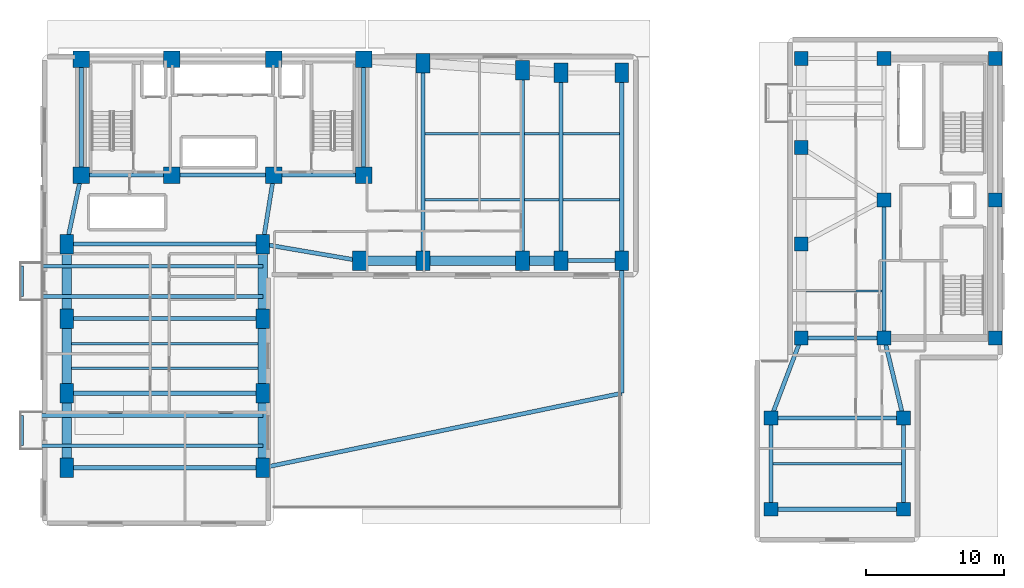
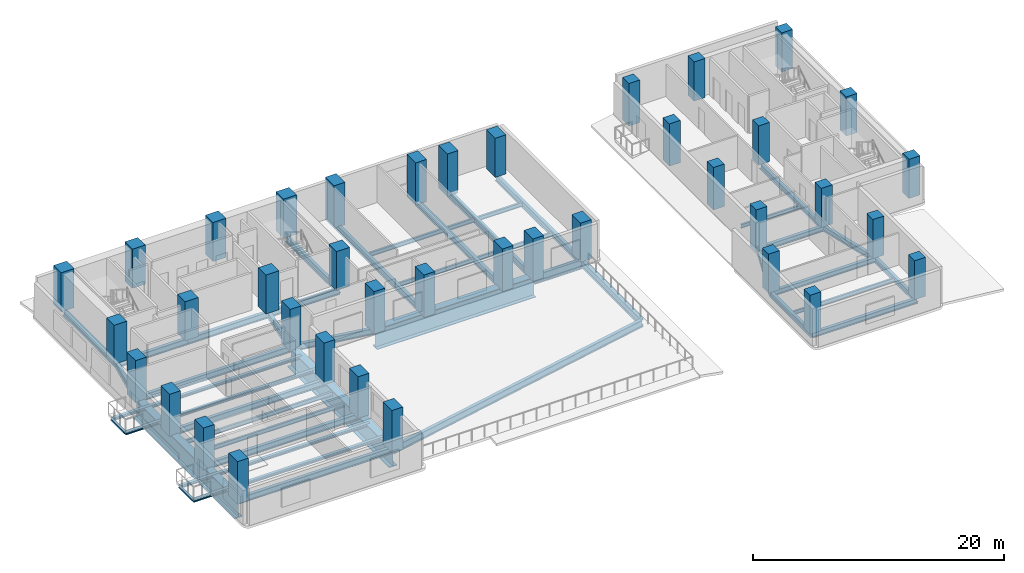
# One storey, part 1 of 10: 46 beams, 39 columns.
"""IFC4 building model written with IfcOpenShell, lengths in metres."""

from ifc_helpers import new_model, si_unit, direction, frame, origin, origin_2d, place, context, subcontext, project, spatial, rectangle, i_section, extrude, material, material_profile, profile_set, type_object, element, save


model = new_model("IFC4")

# Units and contexts
model_context = context("Model", 3, precision=1e-05, world=origin(), true_north=direction((0.0, 1.0)))
body_context = subcontext(model_context, "Body", "Model", "MODEL_VIEW")
ifc_project = project(units=[si_unit("LENGTHUNIT", "METRE"), si_unit("AREAUNIT", "SQUARE_METRE"), si_unit("VOLUMEUNIT", "CUBIC_METRE"), si_unit("PLANEANGLEUNIT", "RADIAN"), si_unit("MASSUNIT", "GRAM", prefix="KILO")], contexts=[model_context])

# Site, building, storey
site_placement = place(None, origin())
site = spatial("IfcSite", under=ifc_project, at=site_placement, CompositionType="ELEMENT")
building_placement = place(site_placement, origin())
building = spatial("IfcBuilding", under=site, at=building_placement, Name="Kuzgunbayir Cultural Tower", CompositionType="ELEMENT")
storey_placement = place(building_placement, frame((0.0, 0.0, 26.39990234375)))
storey = spatial("IfcBuildingStorey", under=building, at=storey_placement, Name="L06", CompositionType="ELEMENT", Elevation=26.39990234375)

# Columns
ifc_material_1 = material(Name="Concrete C60/75", Category="concrete")
ifc_material_profile_1 = material_profile(ifc_material_1, rectangle(XDim=1.199951171875, YDim=1.199951171875, at=origin_2d()), Name="RC 1200x1200")
ifc_profile_set_1 = profile_set([ifc_material_profile_1], Name="Concrete C60/75")
column_type_1 = type_object("IfcColumnType", Name="COL-CORE-1200", PredefinedType="COLUMN", material=ifc_profile_set_1)
for number, where, z_axis, x_axis, name in (
    (1, (6.449951171875, 33.800048828125, 0.0), (0.0, 0.0, 1.0), (1.0, 0.0, 0.0), "L06 T1 Core Boundary Column CC1-1"),
    (2, (13.0, 33.800048828125, 0.0), (0.0, 0.0, 1.0), (1.0, 0.0, 0.0), "L06 T1 Core Boundary Column CC1-2"),
    (3, (20.39990234375, 33.800048828125, 0.0), (0.0, 0.0, 1.0), (1.0, 0.0, 0.0), "L06 T1 Core Boundary Column CC1-3"),
    (4, (26.89990234375, 33.800048828125, 0.0), (0.0, 0.0, 1.0), (1.0, 0.0, 0.0), "L06 T1 Core Boundary Column CC1-4"),
    (5, (6.449951171875, 42.199951171875, 0.0), (0.0, 0.0, 1.0), (1.0, 0.0, 0.0), "L06 T1 Core Boundary Column CC1-5"),
    (6, (13.0, 42.199951171875, 0.0), (0.0, 0.0, 1.0), (1.0, 0.0, 0.0), "L06 T1 Core Boundary Column CC1-6"),
    (7, (20.39990234375, 42.199951171875, 0.0), (0.0, 0.0, 1.0), (1.0, 0.0, 0.0), "L06 T1 Core Boundary Column CC1-7"),
    (8, (26.89990234375, 42.199951171875, 0.0), (0.0, 0.0, 1.0), (1.0, 0.0, 0.0), "L06 T1 Core Boundary Column CC1-8"),
):
    element("IfcColumn", number, at=place(storey_placement, frame(where, z_axis=z_axis, x_axis=x_axis)), inside=storey, type_object=column_type_1, Name=name, PredefinedType="COLUMN", context=body_context, shape_type="SweptSolid", body=[
        extrude(rectangle(XDim=1.199951171875, YDim=1.199951171875, at=origin_2d()), origin(), (0.0, 0.0, 1.0), 3.800048828125),
    ])
ifc_material_profile_2 = material_profile(ifc_material_1, rectangle(XDim=1.0, YDim=1.39990234375, at=origin_2d()), Name="RC 1400x1000")
ifc_profile_set_2 = profile_set([ifc_material_profile_2], Name="Concrete C60/75")
column_type_2 = type_object("IfcColumnType", Name="COL-T1-1400x1000", PredefinedType="COLUMN", material=ifc_profile_set_2)
for number, where, z_axis, x_axis, name in (
    (9, (5.39990234375, 12.60009765625, -0.31982421875), (0.0, 0.0, 1.0), (1.0, 0.0, 0.0), "L06 Tower 1 Wing A Column T1A-W-1"),
    (10, (19.60009765625, 12.60009765625, -0.31982421875), (0.0, 0.0, 1.0), (1.0, 0.0, 0.0), "L06 Tower 1 Wing A Column T1A-E-1"),
    (11, (5.39990234375, 18.0, -0.31982421875), (0.0, 0.0, 1.0), (1.0, 0.0, 0.0), "L06 Tower 1 Wing A Column T1A-W-2"),
    (12, (19.60009765625, 18.0, -0.31982421875), (0.0, 0.0, 1.0), (1.0, 0.0, 0.0), "L06 Tower 1 Wing A Column T1A-E-2"),
    (13, (5.39990234375, 23.39990234375, -0.31982421875), (0.0, 0.0, 1.0), (1.0, 0.0, 0.0), "L06 Tower 1 Wing A Column T1A-W-3"),
    (14, (19.60009765625, 23.39990234375, -0.31982421875), (0.0, 0.0, 1.0), (1.0, 0.0, 0.0), "L06 Tower 1 Wing A Column T1A-E-3"),
    (15, (5.39990234375, 28.800048828125, -0.31982421875), (0.0, 0.0, 1.0), (1.0, 0.0, 0.0), "L06 Tower 1 Wing A Column T1A-W-4"),
    (16, (19.60009765625, 28.800048828125, -0.31982421875), (0.0, 0.0, 1.0), (1.0, 0.0, 0.0), "L06 Tower 1 Wing A Column T1A-E-4"),
    (17, (26.60009765625, 27.60009765625, -0.31982421875), (0.0, 0.0, 1.0), (1.0, 0.0, 0.0), "L06 Tower 1 Wing B Column T1B-1-1"),
    (18, (31.199951171875, 27.60009765625, -0.31982421875), (0.0, 0.0, 1.0), (1.0, 0.0, 0.0), "L06 Tower 1 Wing B Column T1B-2-1"),
    (19, (31.199951171875, 41.89990234375, -0.31982421875), (0.0, 0.0, 1.0), (1.0, 0.0, 0.0), "L06 Tower 1 Wing B Column T1B-2-2"),
    (20, (38.39990234375, 27.60009765625, -0.31982421875), (0.0, 0.0, 1.0), (1.0, 0.0, 0.0), "L06 Tower 1 Wing B Column T1B-3-1"),
    (21, (38.39990234375, 41.39990234375, -0.31982421875), (0.0, 0.0, 1.0), (1.0, 0.0, 0.0), "L06 Tower 1 Wing B Column T1B-3-2"),
    (22, (41.199951171875, 27.60009765625, -0.31982421875), (0.0, 0.0, 1.0), (1.0, 0.0, 0.0), "L06 Tower 1 Wing B Column T1B-4-1"),
    (23, (41.199951171875, 41.199951171875, -0.31982421875), (0.0, 0.0, 1.0), (1.0, 0.0, 0.0), "L06 Tower 1 Wing B Column T1B-4-2"),
):
    element("IfcColumn", number, at=place(storey_placement, frame(where, z_axis=z_axis, x_axis=x_axis)), inside=storey, type_object=column_type_2, Name=name, PredefinedType="COLUMN", context=body_context, shape_type="SweptSolid", body=[
        extrude(rectangle(XDim=1.0, YDim=1.39990234375, at=origin_2d()), origin(), (0.0, 0.0, 1.0), 4.119873046875),
    ])
for number, where, z_axis, x_axis, name in (
    (24, (45.60009765625, 27.60009765625, 0.0), (0.0, 0.0, 1.0), (1.0, 0.0, 0.0), "L06 Tower 1 Wing B Column T1B-5-1"),
    (25, (45.60009765625, 41.199951171875, 0.0), (0.0, 0.0, 1.0), (1.0, 0.0, 0.0), "L06 Tower 1 Wing B Column T1B-5-2"),
):
    element("IfcColumn", number, at=place(storey_placement, frame(where, z_axis=z_axis, x_axis=x_axis)), inside=storey, type_object=column_type_2, Name=name, PredefinedType="COLUMN", context=body_context, shape_type="SweptSolid", body=[
        extrude(rectangle(XDim=1.0, YDim=1.39990234375, at=origin_2d()), origin(), (0.0, 0.0, 1.0), 3.800048828125),
    ])
ifc_material_profile_3 = material_profile(ifc_material_1, rectangle(XDim=1.0, YDim=1.0, at=origin_2d()), Name="RC 1000x1000")
ifc_profile_set_3 = profile_set([ifc_material_profile_3], Name="Concrete C60/75")
column_type_3 = type_object("IfcColumnType", Name="COL-T2-1000", PredefinedType="COLUMN", material=ifc_profile_set_3)
for number, where, z_axis, x_axis, name in (
    (26, (64.60009765625, 22.0, 0.0), (0.0, 0.0, 1.0), (1.0, 0.0, 0.0), "L06 T2 Core Boundary Column CC2-1"),
    (27, (72.64990234375, 22.0, 0.0), (0.0, 0.0, 1.0), (1.0, 0.0, 0.0), "L06 T2 Core Boundary Column CC2-2"),
    (28, (64.60009765625, 32.0, 0.0), (0.0, 0.0, 1.0), (1.0, 0.0, 0.0), "L06 T2 Core Boundary Column CC2-3"),
    (29, (72.64990234375, 32.0, 0.0), (0.0, 0.0, 1.0), (1.0, 0.0, 0.0), "L06 T2 Core Boundary Column CC2-4"),
    (30, (64.60009765625, 42.25, 0.0), (0.0, 0.0, 1.0), (1.0, 0.0, 0.0), "L06 T2 Core Boundary Column CC2-5"),
    (31, (72.64990234375, 42.25, 0.0), (0.0, 0.0, 1.0), (1.0, 0.0, 0.0), "L06 T2 Core Boundary Column CC2-6"),
):
    element("IfcColumn", number, at=place(storey_placement, frame(where, z_axis=z_axis, x_axis=x_axis)), inside=storey, type_object=column_type_3, Name=name, PredefinedType="COLUMN", context=body_context, shape_type="SweptSolid", body=[
        extrude(rectangle(XDim=1.0, YDim=1.0, at=origin_2d()), origin(), (0.0, 0.0, 1.0), 3.800048828125),
    ])
ifc_material_profile_4 = material_profile(ifc_material_1, rectangle(XDim=1.0, YDim=1.0, at=origin_2d()), Name="RC 1000x1000")
ifc_profile_set_4 = profile_set([ifc_material_profile_4], Name="Concrete C60/75")
column_type_4 = type_object("IfcColumnType", Name="COL-T2-1000-EXT", PredefinedType="COLUMN", material=ifc_profile_set_4)
for number, where, z_axis, x_axis, name in (
    (32, (58.60009765625, 22.0, -0.31982421875), (0.0, 0.0, 1.0), (1.0, 0.0, 0.0), "L06 Companion Wing A Column T2A-W-1"),
    (33, (58.60009765625, 28.800048828125, -0.31982421875), (0.0, 0.0, 1.0), (1.0, 0.0, 0.0), "L06 Companion Wing A Column T2A-W-2"),
    (34, (58.60009765625, 35.800048828125, -0.31982421875), (0.0, 0.0, 1.0), (1.0, 0.0, 0.0), "L06 Companion Wing A Column T2A-W-3"),
    (35, (58.60009765625, 42.25, -0.31982421875), (0.0, 0.0, 1.0), (1.0, 0.0, 0.0), "L06 Companion Wing A Column T2A-W-4"),
):
    element("IfcColumn", number, at=place(storey_placement, frame(where, z_axis=z_axis, x_axis=x_axis)), inside=storey, type_object=column_type_4, Name=name, PredefinedType="COLUMN", context=body_context, shape_type="SweptSolid", body=[
        extrude(rectangle(XDim=1.0, YDim=1.0, at=origin_2d()), origin(), (0.0, 0.0, 1.0), 4.119873046875),
    ])
for number, where, z_axis, x_axis, name in (
    (36, (56.39990234375, 9.60009765625, 0.0), (0.0, 0.0, 1.0), (1.0, 0.0, 0.0), "L06 Companion Wing B Column T2B-1-1"),
    (37, (56.39990234375, 16.199951171875, 0.0), (0.0, 0.0, 1.0), (1.0, 0.0, 0.0), "L06 Companion Wing B Column T2B-1-2"),
    (38, (66.0, 9.60009765625, 0.0), (0.0, 0.0, 1.0), (1.0, 0.0, 0.0), "L06 Companion Wing B Column T2B-2-1"),
    (39, (66.0, 16.199951171875, 0.0), (0.0, 0.0, 1.0), (1.0, 0.0, 0.0), "L06 Companion Wing B Column T2B-2-2"),
):
    element("IfcColumn", number, at=place(storey_placement, frame(where, z_axis=z_axis, x_axis=x_axis)), inside=storey, type_object=column_type_4, Name=name, PredefinedType="COLUMN", context=body_context, shape_type="SweptSolid", body=[
        extrude(rectangle(XDim=1.0, YDim=1.0, at=origin_2d()), origin(), (0.0, 0.0, 1.0), 3.800048828125),
    ])

# Beams
ifc_material_2 = material(Name="Steel S355J2", Category="steel")
ifc_material_profile_5 = material_profile(ifc_material_2, i_section(OverallWidth=0.280029296875, OverallDepth=0.280029296875, WebThickness=0.010498046875, FlangeThickness=0.01806640625, FilletRadius=0.02392578125, at=origin_2d()), Name="HEB 280")
ifc_profile_set_5 = profile_set([ifc_material_profile_5], Name="Steel S355J2")
beam_type_1 = type_object("IfcBeamType", Name="BM-BAL-HEB280", PredefinedType="BEAM", material=ifc_profile_set_5)
for number, where, z_axis, x_axis, name in (
    (40, (2.159912109375, 14.199951171875, -0.3798828125), (1.0, 0.0, 0.0), (0.0, 1.0, 0.0), "L06 Balcony Outrigger Beam BAL-L06-WA1.1"),
    (41, (2.159912109375, 16.39990234375, -0.3798828125), (1.0, 0.0, 0.0), (0.0, 1.0, 0.0), "L06 Balcony Outrigger Beam BAL-L06-WA1.2"),
    (42, (2.159912109375, 25.0, -0.3798828125), (1.0, 0.0, 0.0), (0.0, 1.0, 0.0), "L06 Balcony Outrigger Beam BAL-L06-WA3.1"),
    (43, (2.159912109375, 27.199951171875, -0.3798828125), (1.0, 0.0, 0.0), (0.0, 1.0, 0.0), "L06 Balcony Outrigger Beam BAL-L06-WA3.2"),
):
    element("IfcBeam", number, at=place(storey_placement, frame(where, z_axis=z_axis, x_axis=x_axis)), inside=storey, type_object=beam_type_1, Name=name, PredefinedType="BEAM", context=body_context, shape_type="SweptSolid", body=[
        extrude(i_section(OverallWidth=0.280029296875, OverallDepth=0.280029296875, WebThickness=0.010498046875, FlangeThickness=0.01806640625, FilletRadius=0.02392578125, at=origin_2d()), origin(), (0.0, 0.0, 1.0), 17.440185546875),
    ])
ifc_material_profile_6 = material_profile(ifc_material_2, i_section(OverallWidth=0.199951171875, OverallDepth=0.199951171875, WebThickness=0.009033203125, FlangeThickness=0.014892578125, FilletRadius=0.01806640625, at=origin_2d()), Name="HEB 200")
ifc_profile_set_6 = profile_set([ifc_material_profile_6], Name="Steel S355J2")
beam_type_2 = type_object("IfcBeamType", Name="BM-CAN-HEB200", PredefinedType="BEAM", material=ifc_profile_set_6)
for number, where, z_axis, x_axis, name in (
    (44, (2.159912109375, 14.199951171875, -0.33984375), (0.0, 1.0, 0.0), (-1.0, 0.0, 0.0), "L06 Balcony Edge Header BAL-L06-WA1"),
    (45, (2.159912109375, 25.0, -0.33984375), (0.0, 1.0, 0.0), (-1.0, 0.0, 0.0), "L06 Balcony Edge Header BAL-L06-WA3"),
):
    element("IfcBeam", number, at=place(storey_placement, frame(where, z_axis=z_axis, x_axis=x_axis)), inside=storey, type_object=beam_type_2, Name=name, PredefinedType="BEAM", context=body_context, shape_type="SweptSolid", body=[
        extrude(i_section(OverallWidth=0.199951171875, OverallDepth=0.199951171875, WebThickness=0.009033203125, FlangeThickness=0.014892578125, FilletRadius=0.01806640625, at=origin_2d()), origin(), (0.0, 0.0, 1.0), 2.199951171875),
    ])
ifc_material_profile_7 = material_profile(ifc_material_2, i_section(OverallWidth=0.300048828125, OverallDepth=0.5, WebThickness=0.014404296875, FlangeThickness=0.028076171875, FilletRadius=0.027099609375, at=origin_2d()), Name="HEB 500")
ifc_profile_set_7 = profile_set([ifc_material_profile_7], Name="Steel S355J2")
beam_type_3 = type_object("IfcBeamType", Name="BM-EXT-HEB500", PredefinedType="BEAM", material=ifc_profile_set_7)
beam_1_placement = place(storey_placement, frame((56.39990234375, 9.60009765625, -0.489990234375), z_axis=(0.0, 1.0, 0.0), x_axis=(-1.0, 0.0, 0.0)))
element("IfcBeam", 46, at=beam_1_placement, inside=storey, type_object=beam_type_3, Name="L06 Companion Wing B West Girder", PredefinedType="BEAM", context=body_context, shape_type="SweptSolid", body=[
    extrude(i_section(OverallWidth=0.300048828125, OverallDepth=0.5, WebThickness=0.014404296875, FlangeThickness=0.028076171875, FilletRadius=0.027099609375, at=origin_2d()), origin(), (0.0, 0.0, 1.0), 6.599853515625),
])
beam_2_placement = place(storey_placement, frame((56.39990234375, 16.199951171875, -0.489990234375), z_axis=(0.354679148754, 0.93498807556, 0.0), x_axis=(-0.93498807556, 0.354679148754, 0.0)))
element("IfcBeam", 47, at=beam_2_placement, inside=storey, type_object=beam_type_3, Name="L06 Companion Wing B Floor Girder W", PredefinedType="BEAM", context=body_context, shape_type="SweptSolid", body=[
    extrude(i_section(OverallWidth=0.300048828125, OverallDepth=0.5, WebThickness=0.014404296875, FlangeThickness=0.028076171875, FilletRadius=0.027099609375, at=origin_2d()), origin(), (0.0, 0.0, 1.0), 6.203369140625),
])
beam_3_placement = place(storey_placement, frame((66.0, 9.60009765625, -0.489990234375), z_axis=(0.0, 1.0, 0.0), x_axis=(-1.0, 0.0, 0.0)))
element("IfcBeam", 48, at=beam_3_placement, inside=storey, type_object=beam_type_3, Name="L06 Companion Wing B East Girder", PredefinedType="BEAM", context=body_context, shape_type="SweptSolid", body=[
    extrude(i_section(OverallWidth=0.300048828125, OverallDepth=0.5, WebThickness=0.014404296875, FlangeThickness=0.028076171875, FilletRadius=0.027099609375, at=origin_2d()), origin(), (0.0, 0.0, 1.0), 6.599853515625),
])
beam_4_placement = place(storey_placement, frame((66.0, 16.199951171875, -0.489990234375), z_axis=(-0.234623200431, 0.972086392158, 0.0), x_axis=(-0.972086392158, -0.234623200431, 0.0)))
element("IfcBeam", 49, at=beam_4_placement, inside=storey, type_object=beam_type_3, Name="L06 Companion Wing B Floor Girder E", PredefinedType="BEAM", context=body_context, shape_type="SweptSolid", body=[
    extrude(i_section(OverallWidth=0.300048828125, OverallDepth=0.5, WebThickness=0.014404296875, FlangeThickness=0.028076171875, FilletRadius=0.027099609375, at=origin_2d()), origin(), (0.0, 0.0, 1.0), 5.966552734375),
])
beam_5_placement = place(storey_placement, frame((56.39990234375, 9.60009765625, -0.489990234375), z_axis=(1.0, 0.0, 0.0), x_axis=(0.0, 1.0, 0.0)))
element("IfcBeam", 50, at=beam_5_placement, inside=storey, type_object=beam_type_3, Name="L06 Companion Wing B South Girder", PredefinedType="BEAM", context=body_context, shape_type="SweptSolid", body=[
    extrude(i_section(OverallWidth=0.300048828125, OverallDepth=0.5, WebThickness=0.014404296875, FlangeThickness=0.028076171875, FilletRadius=0.027099609375, at=origin_2d()), origin(), (0.0, 0.0, 1.0), 9.60009765625),
])
ifc_material_profile_8 = material_profile(ifc_material_2, i_section(OverallWidth=0.300048828125, OverallDepth=0.699951171875, WebThickness=0.01708984375, FlangeThickness=0.031982421875, FilletRadius=0.027099609375, at=origin_2d()), Name="HEB 700")
ifc_profile_set_8 = profile_set([ifc_material_profile_8], Name="Steel S355J2")
beam_type_4 = type_object("IfcBeamType", Name="BM-EXT-HEB700", PredefinedType="BEAM", material=ifc_profile_set_8)
beam_6_placement = place(storey_placement, frame((19.60009765625, 12.60009765625, -0.60986328125), z_axis=(0.979106284632, 0.203349166199, 0.0), x_axis=(-0.203349166199, 0.979106284632, 0.0)))
element("IfcBeam", 51, at=beam_6_placement, inside=storey, type_object=beam_type_4, Name="L06 Roof Garden South Girder", PredefinedType="BEAM", context=body_context, shape_type="SweptSolid", body=[
    extrude(i_section(OverallWidth=0.300048828125, OverallDepth=0.699951171875, WebThickness=0.01708984375, FlangeThickness=0.031982421875, FilletRadius=0.027099609375, at=origin_2d()), origin(), (0.0, 0.0, 1.0), 26.554931640625),
])
beam_7_placement = place(storey_placement, frame((45.60009765625, 18.0, -0.60986328125), z_axis=(0.0, 1.0, 0.0), x_axis=(-1.0, 0.0, 0.0)))
element("IfcBeam", 52, at=beam_7_placement, inside=storey, type_object=beam_type_4, Name="L06 Roof Garden East Girder", PredefinedType="BEAM", context=body_context, shape_type="SweptSolid", body=[
    extrude(i_section(OverallWidth=0.300048828125, OverallDepth=0.699951171875, WebThickness=0.01708984375, FlangeThickness=0.031982421875, FilletRadius=0.027099609375, at=origin_2d()), origin(), (0.0, 0.0, 1.0), 9.60009765625),
])
ifc_material_profile_9 = material_profile(ifc_material_2, i_section(OverallWidth=0.300048828125, OverallDepth=0.5, WebThickness=0.014404296875, FlangeThickness=0.028076171875, FilletRadius=0.027099609375, at=origin_2d()), Name="HEB 500")
ifc_profile_set_9 = profile_set([ifc_material_profile_9], Name="Steel S355J2")
beam_type_5 = type_object("IfcBeamType", Name="BM-GIR-HEB500", PredefinedType="BEAM", material=ifc_profile_set_9)
beam_8_placement = place(storey_placement, frame((58.60009765625, 22.0, -0.489990234375), z_axis=(1.0, 0.0, 0.0), x_axis=(0.0, 1.0, 0.0)))
element("IfcBeam", 53, at=beam_8_placement, inside=storey, type_object=beam_type_5, Name="L06 Companion Transverse Girder 1", PredefinedType="BEAM", context=body_context, shape_type="SweptSolid", body=[
    extrude(i_section(OverallWidth=0.300048828125, OverallDepth=0.5, WebThickness=0.014404296875, FlangeThickness=0.028076171875, FilletRadius=0.027099609375, at=origin_2d()), origin(), (0.0, 0.0, 1.0), 6.0),
])
beam_9_placement = place(storey_placement, frame((64.60009765625, 22.0, -0.489990234375), z_axis=(0.0, 1.0, 0.0), x_axis=(-1.0, 0.0, 0.0)))
element("IfcBeam", 54, at=beam_9_placement, inside=storey, type_object=beam_type_5, Name="L06 Companion Core West Girder 1", PredefinedType="BEAM", context=body_context, shape_type="SweptSolid", body=[
    extrude(i_section(OverallWidth=0.300048828125, OverallDepth=0.5, WebThickness=0.014404296875, FlangeThickness=0.028076171875, FilletRadius=0.027099609375, at=origin_2d()), origin(), (0.0, 0.0, 1.0), 10.0),
])
beam_10_placement = place(storey_placement, frame((56.39990234375, 16.199951171875, -0.489990234375), z_axis=(1.0, 0.0, 0.0), x_axis=(0.0, 1.0, 0.0)))
element("IfcBeam", 55, at=beam_10_placement, inside=storey, type_object=beam_type_5, Name="L06 Companion Wing B Mid Girder", PredefinedType="BEAM", context=body_context, shape_type="SweptSolid", body=[
    extrude(i_section(OverallWidth=0.300048828125, OverallDepth=0.5, WebThickness=0.014404296875, FlangeThickness=0.028076171875, FilletRadius=0.027099609375, at=origin_2d()), origin(), (0.0, 0.0, 1.0), 9.60009765625),
])
ifc_material_profile_10 = material_profile(ifc_material_2, i_section(OverallWidth=0.300048828125, OverallDepth=0.60009765625, WebThickness=0.015380859375, FlangeThickness=0.030029296875, FilletRadius=0.027099609375, at=origin_2d()), Name="HEB 600")
ifc_profile_set_10 = profile_set([ifc_material_profile_10], Name="Steel S355J2")
beam_type_6 = type_object("IfcBeamType", Name="BM-GIR-HEB600", PredefinedType="BEAM", material=ifc_profile_set_10)
beam_11_placement = place(storey_placement, frame((6.449951171875, 33.800048828125, -0.539794921875), z_axis=(1.0, 0.0, 0.0), x_axis=(0.0, 1.0, 0.0)))
element("IfcBeam", 56, at=beam_11_placement, inside=storey, type_object=beam_type_6, Name="L06 Core South Girder 1", PredefinedType="BEAM", context=body_context, shape_type="SweptSolid", body=[
    extrude(i_section(OverallWidth=0.300048828125, OverallDepth=0.60009765625, WebThickness=0.015380859375, FlangeThickness=0.030029296875, FilletRadius=0.027099609375, at=origin_2d()), origin(), (0.0, 0.0, 1.0), 6.550048828125),
])
beam_12_placement = place(storey_placement, frame((13.0, 33.800048828125, -0.539794921875), z_axis=(1.0, 0.0, 0.0), x_axis=(0.0, 1.0, 0.0)))
element("IfcBeam", 57, at=beam_12_placement, inside=storey, type_object=beam_type_6, Name="L06 Core South Girder 2", PredefinedType="BEAM", context=body_context, shape_type="SweptSolid", body=[
    extrude(i_section(OverallWidth=0.300048828125, OverallDepth=0.60009765625, WebThickness=0.015380859375, FlangeThickness=0.030029296875, FilletRadius=0.027099609375, at=origin_2d()), origin(), (0.0, 0.0, 1.0), 7.39990234375),
])
beam_13_placement = place(storey_placement, frame((20.39990234375, 33.800048828125, -0.539794921875), z_axis=(1.0, 0.0, 0.0), x_axis=(0.0, 1.0, 0.0)))
element("IfcBeam", 58, at=beam_13_placement, inside=storey, type_object=beam_type_6, Name="L06 Core South Girder 3", PredefinedType="BEAM", context=body_context, shape_type="SweptSolid", body=[
    extrude(i_section(OverallWidth=0.300048828125, OverallDepth=0.60009765625, WebThickness=0.015380859375, FlangeThickness=0.030029296875, FilletRadius=0.027099609375, at=origin_2d()), origin(), (0.0, 0.0, 1.0), 6.5),
])
for number, where, z_axis, x_axis, name in (
    (59, (6.449951171875, 33.800048828125, -0.539794921875), (0.0, 1.0, 0.0), (-1.0, 0.0, 0.0), "L06 Core West Edge Girder"),
    (60, (26.89990234375, 33.800048828125, -0.539794921875), (0.0, 1.0, 0.0), (-1.0, 0.0, 0.0), "L06 Core East Edge Girder"),
):
    element("IfcBeam", number, at=place(storey_placement, frame(where, z_axis=z_axis, x_axis=x_axis)), inside=storey, type_object=beam_type_6, Name=name, PredefinedType="BEAM", context=body_context, shape_type="SweptSolid", body=[
        extrude(i_section(OverallWidth=0.300048828125, OverallDepth=0.60009765625, WebThickness=0.015380859375, FlangeThickness=0.030029296875, FilletRadius=0.027099609375, at=origin_2d()), origin(), (0.0, 0.0, 1.0), 8.39990234375),
    ])
for number, where, z_axis, x_axis, name in (
    (61, (5.39990234375, 12.60009765625, -0.539794921875), (1.0, 0.0, 0.0), (0.0, 1.0, 0.0), "L06 Wing A Transverse Girder 1"),
    (62, (5.39990234375, 18.0, -0.539794921875), (1.0, 0.0, 0.0), (0.0, 1.0, 0.0), "L06 Wing A Transverse Girder 2"),
    (63, (5.39990234375, 23.39990234375, -0.539794921875), (1.0, 0.0, 0.0), (0.0, 1.0, 0.0), "L06 Wing A Transverse Girder 3"),
    (64, (5.39990234375, 28.800048828125, -0.539794921875), (1.0, 0.0, 0.0), (0.0, 1.0, 0.0), "L06 Wing A Transverse Girder 4"),
):
    element("IfcBeam", number, at=place(storey_placement, frame(where, z_axis=z_axis, x_axis=x_axis)), inside=storey, type_object=beam_type_6, Name=name, PredefinedType="BEAM", context=body_context, shape_type="SweptSolid", body=[
        extrude(i_section(OverallWidth=0.300048828125, OverallDepth=0.60009765625, WebThickness=0.015380859375, FlangeThickness=0.030029296875, FilletRadius=0.027099609375, at=origin_2d()), origin(), (0.0, 0.0, 1.0), 14.2001953125),
    ])
beam_14_placement = place(storey_placement, frame((5.39990234375, 28.800048828125, -0.539794921875), z_axis=(0.205526387753, 0.978651574329, 0.0), x_axis=(-0.978651574329, 0.205526387753, 0.0)))
element("IfcBeam", 65, at=beam_14_placement, inside=storey, type_object=beam_type_6, Name="L06 Wing A West Core Floor Girder", PredefinedType="BEAM", context=body_context, shape_type="SweptSolid", body=[
    extrude(i_section(OverallWidth=0.300048828125, OverallDepth=0.60009765625, WebThickness=0.015380859375, FlangeThickness=0.030029296875, FilletRadius=0.027099609375, at=origin_2d()), origin(), (0.0, 0.0, 1.0), 5.109130859375),
])
beam_15_placement = place(storey_placement, frame((19.60009765625, 28.800048828125, -0.539794921875), z_axis=(0.157952891656, 0.987446648694, 0.0), x_axis=(-0.987446648694, 0.157952891656, 0.0)))
element("IfcBeam", 66, at=beam_15_placement, inside=storey, type_object=beam_type_6, Name="L06 Wing A East Core Floor Girder", PredefinedType="BEAM", context=body_context, shape_type="SweptSolid", body=[
    extrude(i_section(OverallWidth=0.300048828125, OverallDepth=0.60009765625, WebThickness=0.015380859375, FlangeThickness=0.030029296875, FilletRadius=0.027099609375, at=origin_2d()), origin(), (0.0, 0.0, 1.0), 5.0634765625),
])
beam_16_placement = place(storey_placement, frame((31.199951171875, 27.60009765625, -0.539794921875), z_axis=(0.0, 1.0, 0.0), x_axis=(-1.0, 0.0, 0.0)))
element("IfcBeam", 67, at=beam_16_placement, inside=storey, type_object=beam_type_6, Name="L06 Wing B Cross Girder 31", PredefinedType="BEAM", context=body_context, shape_type="SweptSolid", body=[
    extrude(i_section(OverallWidth=0.300048828125, OverallDepth=0.60009765625, WebThickness=0.015380859375, FlangeThickness=0.030029296875, FilletRadius=0.027099609375, at=origin_2d()), origin(), (0.0, 0.0, 1.0), 14.2998046875),
])
beam_17_placement = place(storey_placement, frame((38.39990234375, 27.60009765625, -0.539794921875), z_axis=(0.0, 1.0, 0.0), x_axis=(-1.0, 0.0, 0.0)))
element("IfcBeam", 68, at=beam_17_placement, inside=storey, type_object=beam_type_6, Name="L06 Wing B Cross Girder 38", PredefinedType="BEAM", context=body_context, shape_type="SweptSolid", body=[
    extrude(i_section(OverallWidth=0.300048828125, OverallDepth=0.60009765625, WebThickness=0.015380859375, FlangeThickness=0.030029296875, FilletRadius=0.027099609375, at=origin_2d()), origin(), (0.0, 0.0, 1.0), 13.7998046875),
])
for number, where, z_axis, x_axis, name in (
    (69, (41.199951171875, 27.60009765625, -0.539794921875), (0.0, 1.0, 0.0), (-1.0, 0.0, 0.0), "L06 Wing B Cross Girder 41"),
    (70, (45.60009765625, 27.60009765625, -0.539794921875), (0.0, 1.0, 0.0), (-1.0, 0.0, 0.0), "L06 Wing B Cross Girder 45"),
):
    element("IfcBeam", number, at=place(storey_placement, frame(where, z_axis=z_axis, x_axis=x_axis)), inside=storey, type_object=beam_type_6, Name=name, PredefinedType="BEAM", context=body_context, shape_type="SweptSolid", body=[
        extrude(i_section(OverallWidth=0.300048828125, OverallDepth=0.60009765625, WebThickness=0.015380859375, FlangeThickness=0.030029296875, FilletRadius=0.027099609375, at=origin_2d()), origin(), (0.0, 0.0, 1.0), 13.599853515625),
    ])
beam_18_placement = place(storey_placement, frame((19.60009765625, 28.800048828125, -0.539794921875), z_axis=(0.985623399742, -0.168957136221, 0.0), x_axis=(0.168957136221, 0.985623399742, 0.0)))
element("IfcBeam", 71, at=beam_18_placement, inside=storey, type_object=beam_type_6, Name="L06 Wing B Waist Tie Girder", PredefinedType="BEAM", context=body_context, shape_type="SweptSolid", body=[
    extrude(i_section(OverallWidth=0.300048828125, OverallDepth=0.60009765625, WebThickness=0.015380859375, FlangeThickness=0.030029296875, FilletRadius=0.027099609375, at=origin_2d()), origin(), (0.0, 0.0, 1.0), 7.10205078125),
])
ifc_material_3 = material(Name="Steel S460M", Category="steel")
ifc_material_profile_11 = material_profile(ifc_material_3, i_section(OverallWidth=0.300048828125, OverallDepth=0.89990234375, WebThickness=0.0185546875, FlangeThickness=0.034912109375, FilletRadius=0.030029296875, at=origin_2d()), Name="HEB 900")
ifc_profile_set_11 = profile_set([ifc_material_profile_11], Name="Steel S460M")
beam_type_7 = type_object("IfcBeamType", Name="BM-GIR-HEB900", PredefinedType="BEAM", material=ifc_profile_set_11)
beam_19_placement = place(storey_placement, frame((41.199951171875, 27.60009765625, -0.68994140625), z_axis=(1.0, 0.0, 0.0), x_axis=(0.0, 1.0, 0.0)))
element("IfcBeam", 72, at=beam_19_placement, inside=storey, type_object=beam_type_7, Name="L06 Wing B East South Girder", PredefinedType="BEAM", context=body_context, shape_type="SweptSolid", body=[
    extrude(i_section(OverallWidth=0.300048828125, OverallDepth=0.89990234375, WebThickness=0.0185546875, FlangeThickness=0.034912109375, FilletRadius=0.030029296875, at=origin_2d()), origin(), (0.0, 0.0, 1.0), 4.400146484375),
])
ifc_material_profile_12 = material_profile(ifc_material_2, i_section(OverallWidth=0.169921875, OverallDepth=0.360107421875, WebThickness=0.008056640625, FlangeThickness=0.0126953125, FilletRadius=0.01806640625, at=origin_2d()), Name="IPE 360")
ifc_profile_set_12 = profile_set([ifc_material_profile_12], Name="Steel S355J2")
beam_type_8 = type_object("IfcBeamType", Name="BM-JST-IPE360", PredefinedType="JOIST", material=ifc_profile_set_12)
beam_20_placement = place(storey_placement, frame((58.949951171875, 25.39990234375, -0.419921875), z_axis=(1.0, 0.0, 0.0), x_axis=(0.0, 1.0, 0.0)))
element("IfcBeam", 73, at=beam_20_placement, inside=storey, type_object=beam_type_8, Name="L06 Companion Joist", PredefinedType="JOIST", context=body_context, shape_type="SweptSolid", body=[
    extrude(i_section(OverallWidth=0.169921875, OverallDepth=0.360107421875, WebThickness=0.008056640625, FlangeThickness=0.0126953125, FilletRadius=0.01806640625, at=origin_2d()), origin(), (0.0, 0.0, 1.0), 5.5),
])
beam_21_placement = place(storey_placement, frame((56.550048828125, 12.89990234375, -0.419921875), z_axis=(1.0, 0.0, 0.0), x_axis=(0.0, 1.0, 0.0)))
element("IfcBeam", 74, at=beam_21_placement, inside=storey, type_object=beam_type_8, Name="L06 Companion Wing B Joist", PredefinedType="JOIST", context=body_context, shape_type="SweptSolid", body=[
    extrude(i_section(OverallWidth=0.169921875, OverallDepth=0.360107421875, WebThickness=0.008056640625, FlangeThickness=0.0126953125, FilletRadius=0.01806640625, at=origin_2d()), origin(), (0.0, 0.0, 1.0), 9.300048828125),
])
ifc_material_profile_13 = material_profile(ifc_material_2, i_section(OverallWidth=0.179931640625, OverallDepth=0.39990234375, WebThickness=0.008544921875, FlangeThickness=0.013427734375, FilletRadius=0.02099609375, at=origin_2d()), Name="IPE 400")
ifc_profile_set_13 = profile_set([ifc_material_profile_13], Name="Steel S355J2")
beam_type_9 = type_object("IfcBeamType", Name="BM-JST-IPE400", PredefinedType="JOIST", material=ifc_profile_set_13)
for number, where, z_axis, x_axis, name in (
    (75, (5.75, 19.800048828125, -0.43994140625), (1.0, 0.0, 0.0), (0.0, 1.0, 0.0), "L06 Wing A Secondary Joist 3"),
    (76, (5.75, 21.60009765625, -0.43994140625), (1.0, 0.0, 0.0), (0.0, 1.0, 0.0), "L06 Wing A Secondary Joist 4"),
):
    element("IfcBeam", number, at=place(storey_placement, frame(where, z_axis=z_axis, x_axis=x_axis)), inside=storey, type_object=beam_type_9, Name=name, PredefinedType="JOIST", context=body_context, shape_type="SweptSolid", body=[
        extrude(i_section(OverallWidth=0.179931640625, OverallDepth=0.39990234375, WebThickness=0.008544921875, FlangeThickness=0.013427734375, FilletRadius=0.02099609375, at=origin_2d()), origin(), (0.0, 0.0, 1.0), 13.5),
    ])
for number, where, z_axis, x_axis, name in (
    (77, (31.35009765625, 32.0, -0.43994140625), (1.0, 0.0, 0.0), (0.0, 1.0, 0.0), "L06 Wing B Secondary Joist 1.1"),
    (78, (31.35009765625, 36.800048828125, -0.43994140625), (1.0, 0.0, 0.0), (0.0, 1.0, 0.0), "L06 Wing B Secondary Joist 1.2"),
):
    element("IfcBeam", number, at=place(storey_placement, frame(where, z_axis=z_axis, x_axis=x_axis)), inside=storey, type_object=beam_type_9, Name=name, PredefinedType="JOIST", context=body_context, shape_type="SweptSolid", body=[
        extrude(i_section(OverallWidth=0.179931640625, OverallDepth=0.39990234375, WebThickness=0.008544921875, FlangeThickness=0.013427734375, FilletRadius=0.02099609375, at=origin_2d()), origin(), (0.0, 0.0, 1.0), 6.89990234375),
    ])
for number, where, z_axis, x_axis, name in (
    (79, (38.550048828125, 32.0, -0.43994140625), (1.0, 0.0, 0.0), (0.0, 1.0, 0.0), "L06 Wing B Secondary Joist 2.1"),
    (80, (38.550048828125, 36.800048828125, -0.43994140625), (1.0, 0.0, 0.0), (0.0, 1.0, 0.0), "L06 Wing B Secondary Joist 2.2"),
):
    element("IfcBeam", number, at=place(storey_placement, frame(where, z_axis=z_axis, x_axis=x_axis)), inside=storey, type_object=beam_type_9, Name=name, PredefinedType="JOIST", context=body_context, shape_type="SweptSolid", body=[
        extrude(i_section(OverallWidth=0.179931640625, OverallDepth=0.39990234375, WebThickness=0.008544921875, FlangeThickness=0.013427734375, FilletRadius=0.02099609375, at=origin_2d()), origin(), (0.0, 0.0, 1.0), 2.5),
    ])
for number, where, z_axis, x_axis, name in (
    (81, (41.35009765625, 32.0, -0.43994140625), (1.0, 0.0, 0.0), (0.0, 1.0, 0.0), "L06 Wing B Secondary Joist 3.1"),
    (82, (41.35009765625, 36.800048828125, -0.43994140625), (1.0, 0.0, 0.0), (0.0, 1.0, 0.0), "L06 Wing B Secondary Joist 3.2"),
):
    element("IfcBeam", number, at=place(storey_placement, frame(where, z_axis=z_axis, x_axis=x_axis)), inside=storey, type_object=beam_type_9, Name=name, PredefinedType="JOIST", context=body_context, shape_type="SweptSolid", body=[
        extrude(i_section(OverallWidth=0.179931640625, OverallDepth=0.39990234375, WebThickness=0.008544921875, FlangeThickness=0.013427734375, FilletRadius=0.02099609375, at=origin_2d()), origin(), (0.0, 0.0, 1.0), 4.099853515625),
    ])
ifc_material_profile_14 = material_profile(ifc_material_3, i_section(OverallWidth=0.699951171875, OverallDepth=2.0, WebThickness=0.035888671875, FlangeThickness=0.06005859375, at=origin_2d()), Name="PG 2000x700x36x60")
ifc_profile_set_14 = profile_set([ifc_material_profile_14], Name="Steel S460M")
beam_type_10 = type_object("IfcBeamType", Name="BM-TR-PG2000", PredefinedType="BEAM", material=ifc_profile_set_14)
for number, where, z_axis, x_axis, name in (
    (83, (5.39990234375, 12.60009765625, -1.239990234375), (0.0, 1.0, 0.0), (-1.0, 0.0, 0.0), "L06 Wing A West Transfer Girder"),
    (84, (19.60009765625, 12.60009765625, -1.239990234375), (0.0, 1.0, 0.0), (-1.0, 0.0, 0.0), "L06 Wing A East Transfer Girder"),
):
    element("IfcBeam", number, at=place(storey_placement, frame(where, z_axis=z_axis, x_axis=x_axis)), inside=storey, type_object=beam_type_10, Name=name, PredefinedType="BEAM", context=body_context, shape_type="SweptSolid", body=[
        extrude(i_section(OverallWidth=0.699951171875, OverallDepth=2.0, WebThickness=0.035888671875, FlangeThickness=0.06005859375, at=origin_2d()), origin(), (0.0, 0.0, 1.0), 16.199951171875),
    ])
beam_22_placement = place(storey_placement, frame((26.60009765625, 27.60009765625, -1.239990234375), z_axis=(1.0, 0.0, 0.0), x_axis=(0.0, 1.0, 0.0)))
element("IfcBeam", 85, at=beam_22_placement, inside=storey, type_object=beam_type_10, Name="L06 Wing B South Transfer Girder", PredefinedType="BEAM", context=body_context, shape_type="SweptSolid", body=[
    extrude(i_section(OverallWidth=0.699951171875, OverallDepth=2.0, WebThickness=0.035888671875, FlangeThickness=0.06005859375, at=origin_2d()), origin(), (0.0, 0.0, 1.0), 14.599853515625),
])

save(model, "model.ifc")
